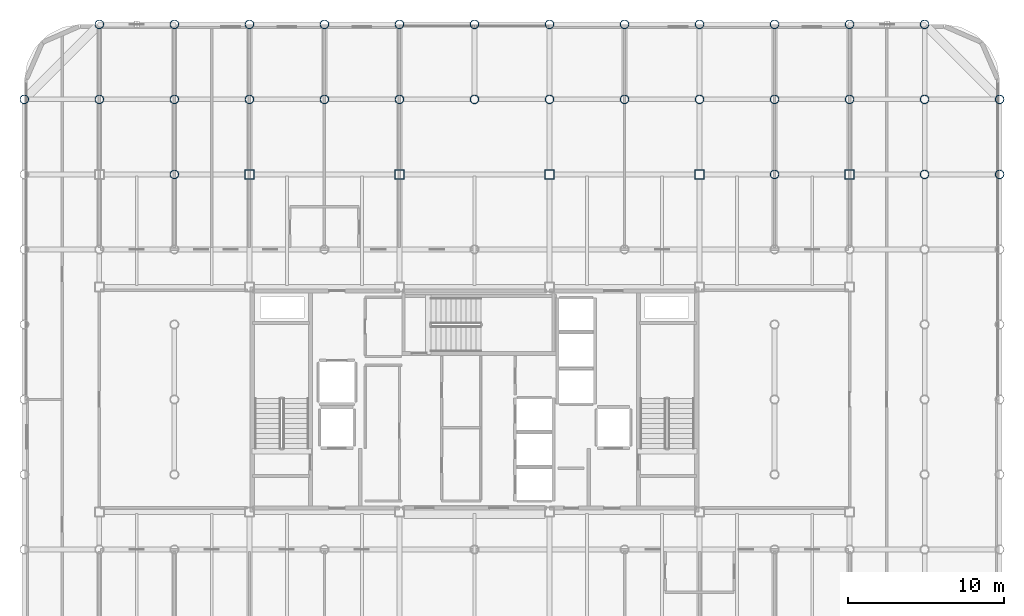
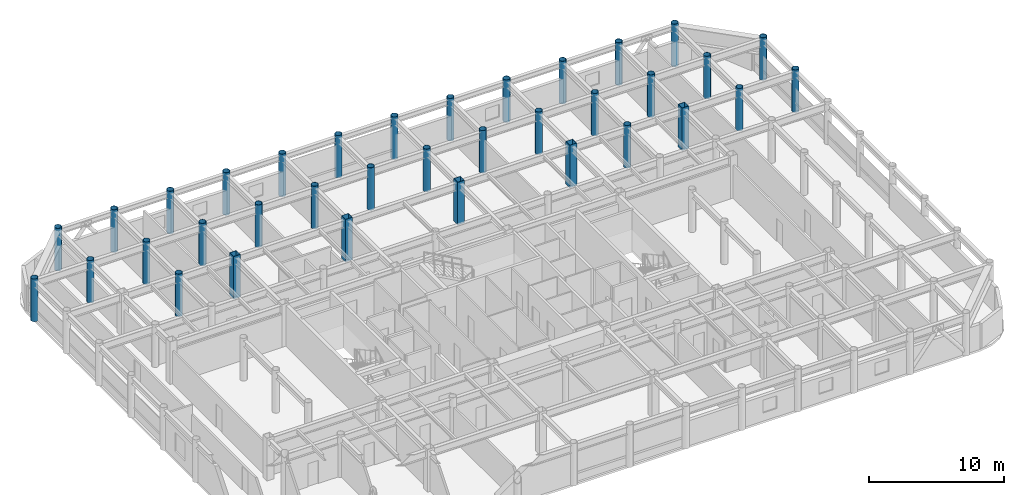
# One storey, part 2 of 22: 35 columns.
"""IFC4 building model written with IfcOpenShell, lengths in metres."""

from ifc_helpers import new_model, si_unit, direction, frame, origin, origin_2d, place, context, subcontext, project, spatial, hollow_rectangle, hollow_circle, extrude, material, material_profile, profile_set, type_object, element, save


model = new_model("IFC4")

# Units and contexts
model_context = context("Model", 3, precision=1e-05, world=origin(), true_north=direction((0.0, 1.0)))
body_context = subcontext(model_context, "Body", "Model", "MODEL_VIEW")
ifc_project = project(units=[si_unit("LENGTHUNIT", "METRE"), si_unit("AREAUNIT", "SQUARE_METRE"), si_unit("VOLUMEUNIT", "CUBIC_METRE"), si_unit("PLANEANGLEUNIT", "RADIAN"), si_unit("MASSUNIT", "GRAM", prefix="KILO")], contexts=[model_context])

# Site, building, storey
site_placement = place(None, origin())
site = spatial("IfcSite", under=ifc_project, at=site_placement, CompositionType="ELEMENT")
building_placement = place(site_placement, origin())
building = spatial("IfcBuilding", under=site, at=building_placement, Name="Kallvorn Hotel Tower", CompositionType="ELEMENT")
storey_placement = place(building_placement, frame((0.0, 0.0, 230.0)))
storey = spatial("IfcBuildingStorey", under=building, at=storey_placement, Name="L57", CompositionType="ELEMENT", Elevation=230.0)

# Columns
ifc_material_1 = material(Name="Structural steel S355J2H", Category="steel")
ifc_material_profile_1 = material_profile(ifc_material_1, hollow_circle(Radius=0.279541015625, WallThickness=0.02490234375, at=origin_2d()), Name="CHS 559x25")
ifc_profile_set_1 = profile_set([ifc_material_profile_1], Name="Structural steel S355J2H")
column_type_1 = type_object("IfcColumnType", Name="COL_CHS_559", PredefinedType="COLUMN", material=ifc_profile_set_1)
for number, where, z_axis, x_axis, name in (
    (1, (-28.800048828125, 19.199951171875, 0.0), (0.0, 0.0, 1.0), (1.0, 0.0, 0.0), "L57 Exoskeleton Column EC09"),
    (2, (-24.0, 19.199951171875, 0.0), (0.0, 0.0, 1.0), (1.0, 0.0, 0.0), "L57 Exoskeleton Column EC13"),
    (3, (-24.0, 24.0, 0.0), (0.0, 0.0, 1.0), (1.0, 0.0, 0.0), "L57 Exoskeleton Column EC14"),
    (4, (-19.199951171875, 14.39990234375, 0.0), (0.0, 0.0, 1.0), (1.0, 0.0, 0.0), "L57 Exoskeleton Column EC22"),
    (5, (-19.199951171875, 19.199951171875, 0.0), (0.0, 0.0, 1.0), (1.0, 0.0, 0.0), "L57 Exoskeleton Column EC23"),
    (6, (-19.199951171875, 24.0, 0.0), (0.0, 0.0, 1.0), (1.0, 0.0, 0.0), "L57 Exoskeleton Column EC24"),
    (7, (-14.39990234375, 19.199951171875, 0.0), (0.0, 0.0, 1.0), (1.0, 0.0, 0.0), "L57 Exoskeleton Column EC26"),
    (8, (-14.39990234375, 24.0, 0.0), (0.0, 0.0, 1.0), (1.0, 0.0, 0.0), "L57 Exoskeleton Column EC27"),
    (9, (-9.60009765625, 19.199951171875, 0.0), (0.0, 0.0, 1.0), (1.0, 0.0, 0.0), "L57 Exoskeleton Column EC31"),
    (10, (-9.60009765625, 24.0, 0.0), (0.0, 0.0, 1.0), (1.0, 0.0, 0.0), "L57 Exoskeleton Column EC32"),
    (11, (-4.800048828125, 19.199951171875, 0.0), (0.0, 0.0, 1.0), (1.0, 0.0, 0.0), "L57 Exoskeleton Column EC34"),
    (12, (-4.800048828125, 24.0, 0.0), (0.0, 0.0, 1.0), (1.0, 0.0, 0.0), "L57 Exoskeleton Column EC35"),
    (13, (0.0, 19.199951171875, 0.0), (0.0, 0.0, 1.0), (1.0, 0.0, 0.0), "L57 Exoskeleton Column EC39"),
    (14, (0.0, 24.0, 0.0), (0.0, 0.0, 1.0), (1.0, 0.0, 0.0), "L57 Exoskeleton Column EC40"),
    (15, (4.800048828125, 19.199951171875, 0.0), (0.0, 0.0, 1.0), (1.0, 0.0, 0.0), "L57 Exoskeleton Column EC42"),
    (16, (4.800048828125, 24.0, 0.0), (0.0, 0.0, 1.0), (1.0, 0.0, 0.0), "L57 Exoskeleton Column EC43"),
    (17, (9.60009765625, 19.199951171875, 0.0), (0.0, 0.0, 1.0), (1.0, 0.0, 0.0), "L57 Exoskeleton Column EC47"),
    (18, (9.60009765625, 24.0, 0.0), (0.0, 0.0, 1.0), (1.0, 0.0, 0.0), "L57 Exoskeleton Column EC48"),
    (19, (14.39990234375, 19.199951171875, 0.0), (0.0, 0.0, 1.0), (1.0, 0.0, 0.0), "L57 Exoskeleton Column EC50"),
    (20, (14.39990234375, 24.0, 0.0), (0.0, 0.0, 1.0), (1.0, 0.0, 0.0), "L57 Exoskeleton Column EC51"),
    (21, (19.199951171875, 14.39990234375, 0.0), (0.0, 0.0, 1.0), (1.0, 0.0, 0.0), "L57 Exoskeleton Column EC59"),
    (22, (19.199951171875, 19.199951171875, 0.0), (0.0, 0.0, 1.0), (1.0, 0.0, 0.0), "L57 Exoskeleton Column EC60"),
    (23, (19.199951171875, 24.0, 0.0), (0.0, 0.0, 1.0), (1.0, 0.0, 0.0), "L57 Exoskeleton Column EC61"),
    (24, (24.0, 19.199951171875, 0.0), (0.0, 0.0, 1.0), (1.0, 0.0, 0.0), "L57 Exoskeleton Column EC65"),
    (25, (24.0, 24.0, 0.0), (0.0, 0.0, 1.0), (1.0, 0.0, 0.0), "L57 Exoskeleton Column EC66"),
    (26, (28.800048828125, 14.39990234375, 0.0), (0.0, 0.0, 1.0), (1.0, 0.0, 0.0), "L57 Exoskeleton Column EC74"),
    (27, (28.800048828125, 19.199951171875, 0.0), (0.0, 0.0, 1.0), (1.0, 0.0, 0.0), "L57 Exoskeleton Column EC75"),
    (28, (28.800048828125, 24.0, 0.0), (0.0, 0.0, 1.0), (1.0, 0.0, 0.0), "L57 Exoskeleton Column EC76"),
    (29, (33.60009765625, 14.39990234375, 0.0), (0.0, 0.0, 1.0), (1.0, 0.0, 0.0), "L57 Exoskeleton Column EC83"),
    (30, (33.60009765625, 19.199951171875, 0.0), (0.0, 0.0, 1.0), (1.0, 0.0, 0.0), "L57 Exoskeleton Column EC84"),
):
    element("IfcColumn", number, at=place(storey_placement, frame(where, z_axis=z_axis, x_axis=x_axis)), inside=storey, type_object=column_type_1, Name=name, PredefinedType="COLUMN", context=body_context, shape_type="SweptSolid", body=[
        extrude(hollow_circle(Radius=0.279541015625, WallThickness=0.02490234375, at=origin_2d()), origin(), (0.0, 0.0, 1.0), 3.85009765625),
    ])
ifc_material_2 = material(Name="Structural steel S355J2H", Category="steel")
ifc_material_profile_2 = material_profile(ifc_material_2, hollow_rectangle(XDim=0.60009765625, YDim=0.60009765625, WallThickness=0.028076171875, at=origin_2d()), Name="RHS 600x600x28")
ifc_profile_set_2 = profile_set([ifc_material_profile_2], Name="Structural steel S355J2H")
column_type_2 = type_object("IfcColumnType", Name="COL_RHS_600", PredefinedType="COLUMN", material=ifc_profile_set_2)
for number, where, z_axis, x_axis, name in (
    (31, (-14.39990234375, 14.39990234375, 0.0), (0.0, 0.0, 1.0), (1.0, 0.0, 0.0), "L57 Inner Column IC08"),
    (32, (-4.800048828125, 14.39990234375, 0.0), (0.0, 0.0, 1.0), (1.0, 0.0, 0.0), "L57 Inner Column IC12"),
    (33, (4.800048828125, 14.39990234375, 0.0), (0.0, 0.0, 1.0), (1.0, 0.0, 0.0), "L57 Inner Column IC16"),
    (34, (14.39990234375, 14.39990234375, 0.0), (0.0, 0.0, 1.0), (1.0, 0.0, 0.0), "L57 Inner Column IC20"),
    (35, (24.0, 14.39990234375, 0.0), (0.0, 0.0, 1.0), (1.0, 0.0, 0.0), "L57 Inner Column IC24"),
):
    element("IfcColumn", number, at=place(storey_placement, frame(where, z_axis=z_axis, x_axis=x_axis)), inside=storey, type_object=column_type_2, Name=name, PredefinedType="COLUMN", context=body_context, shape_type="SweptSolid", body=[
        extrude(hollow_rectangle(XDim=0.60009765625, YDim=0.60009765625, WallThickness=0.028076171875, at=origin_2d()), origin(), (0.0, 0.0, 1.0), 3.85009765625),
    ])

save(model, "model.ifc")
